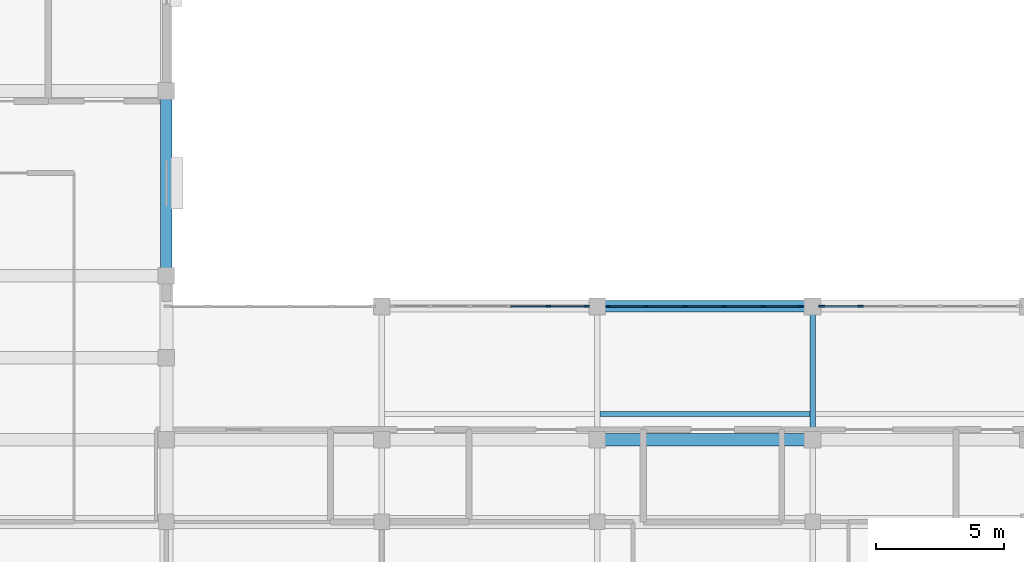
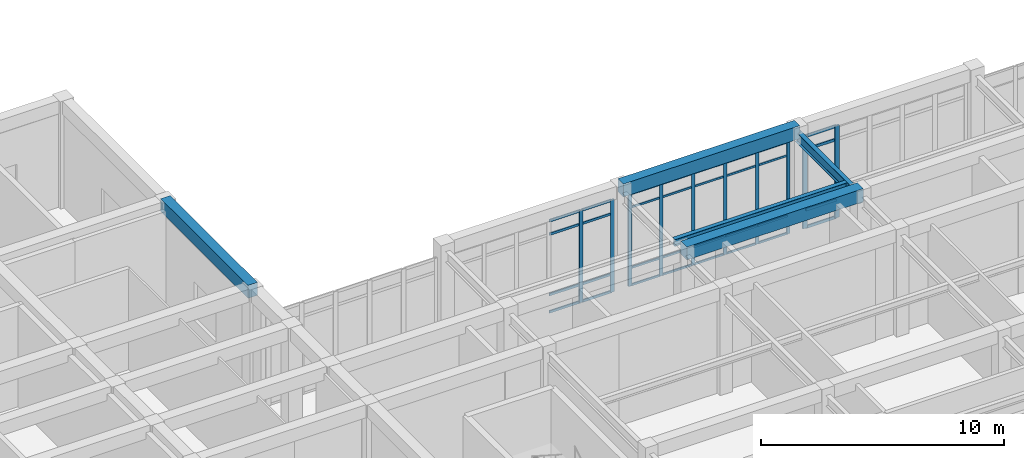
# One storey, part 28 of 89: 42 members, 5 beams, 3 elements without a shape of their own.
"""IFC4 building model written with IfcOpenShell, lengths in metres."""

import ifcopenshell
import ifcopenshell.guid

model = None  # the IFC model being written
_history = None  # IfcOwnerHistory: only IFC2X3 demands one
_inside = {}  # id of a spatial element -> (the spatial element, [elements in it])
_under = {}  # id of a project, library or spatial element -> (it, [spatial elements below it])
_declared = {}  # id of a project -> (the project, [libraries it declares])
_typed = {}  # id of a type object -> (the type object, [elements of that type])
_made_of = {}  # id of a material, layer set ... -> (it, [elements and type objects made of it])


def new_model(schema):
    """Start an empty IFC model of exactly this schema.

    Asked for "IFC4X3", IfcOpenShell would pick the latest addendum, in which some entities
    have other attributes; the version numbers below select the first issue.
    IFC2X3 requires an IfcOwnerHistory on every rooted entity: one is made here for all.
    """
    global model, _history
    if schema == "IFC4X3":
        model = ifcopenshell.file(schema_version=(4, 3, 0, 0))
    else:
        model = ifcopenshell.file(schema=schema)
    _inside.clear()
    _under.clear()
    _declared.clear()
    _typed.clear()
    _made_of.clear()
    _history = None
    if model.schema == "IFC2X3":
        org = make("IfcOrganization", Name="unknown")
        user = make(
            "IfcPersonAndOrganization",
            ThePerson=make("IfcPerson", FamilyName="unknown"),
            TheOrganization=org,
        )
        app = make(
            "IfcApplication",
            ApplicationDeveloper=org,
            Version="unknown",
            ApplicationFullName="unknown",
            ApplicationIdentifier="unknown",
        )
        _history = make(
            "IfcOwnerHistory",
            OwningUser=user,
            OwningApplication=app,
            ChangeAction="ADDED",
            CreationDate=0,
        )
    return model


def make(cls, **values):
    """One entity of the class cls with the attributes given. An attribute that is None is left unset."""
    return model.create_entity(
        cls, **{name: value for name, value in values.items() if value is not None}
    )


def rooted(cls, **values):
    """An entity with a GlobalId (a new one), such as an element, a storey or a relation."""
    return make(cls, GlobalId=ifcopenshell.guid.new(), OwnerHistory=_history, **values)


def si_unit(unit_type, name, prefix=None):
    """IfcSIUnit, for example si_unit("LENGTHUNIT", "METRE", prefix="MILLI")."""
    return make("IfcSIUnit", UnitType=unit_type, Prefix=prefix, Name=name)


def assignment(units):
    """IfcUnitAssignment: the units of a project."""
    return None if units is None else make("IfcUnitAssignment", Units=units)


def point(xyz):
    """IfcCartesianPoint."""
    return None if xyz is None else make("IfcCartesianPoint", Coordinates=xyz)


def direction(xyz):
    """IfcDirection."""
    return None if xyz is None else make("IfcDirection", DirectionRatios=xyz)


def frame(location, z_axis=None, x_axis=None):
    """IfcAxis2Placement3D, a coordinate frame: its origin and axes. An axis left out is left unset."""
    return make(
        "IfcAxis2Placement3D",
        Location=point(location),
        Axis=direction(z_axis),
        RefDirection=direction(x_axis),
    )


def frame_2d(location, x_axis=None):
    """IfcAxis2Placement2D, a coordinate frame in the plane: its origin and x axis."""
    return make(
        "IfcAxis2Placement2D", Location=point(location), RefDirection=direction(x_axis)
    )


def origin():
    """The frame at (0, 0, 0) with its axes left unset."""
    return frame((0.0, 0.0, 0.0))


def origin_2d():
    """The frame at (0, 0) in the plane with its x axis left unset."""
    return frame_2d((0.0, 0.0))


def place(relative_to, where):
    """IfcLocalPlacement: puts the frame where relative to a parent placement (None: the world)."""
    return make(
        "IfcLocalPlacement", PlacementRelTo=relative_to, RelativePlacement=where
    )


def context(
    kind, dimensions, precision=None, world=None, true_north=None, identifier=None
):
    """IfcGeometricRepresentationContext, for example the 3D "Model" context."""
    return make(
        "IfcGeometricRepresentationContext",
        ContextIdentifier=identifier,
        ContextType=kind,
        CoordinateSpaceDimension=dimensions,
        Precision=precision,
        WorldCoordinateSystem=world,
        TrueNorth=true_north,
    )


def subcontext(parent, identifier, kind, view, scale=None):
    """IfcGeometricRepresentationSubContext, for example "Body" below "Model"."""
    return make(
        "IfcGeometricRepresentationSubContext",
        ContextIdentifier=identifier,
        ContextType=kind,
        ParentContext=parent,
        TargetScale=scale,
        TargetView=view,
    )


def project(units=None, contexts=None):
    """IfcProject with its units and contexts."""
    return rooted(
        "IfcProject",
        Name="project",
        RepresentationContexts=contexts,
        UnitsInContext=assignment(units),
    )


def spatial(cls, under=None, at=None, **own):
    """A site, building, storey or space (cls), placed at a placement, below another one or the project."""
    s = rooted(cls, ObjectPlacement=at, **own)
    if under is not None:
        _under.setdefault(under.id(), (under, []))[1].append(s)
    return s


def profile(cls, at=None, kind="AREA", **sizes):
    """A parametric profile (cls). Its sizes go by their IFC names, for example OverallWidth=200.0."""
    return make(cls, ProfileType=kind, Position=at, **sizes)


def rectangle(**sizes):
    """IfcRectangleProfileDef."""
    return profile("IfcRectangleProfileDef", **sizes)


def i_section(**sizes):
    """IfcIShapeProfileDef."""
    return profile("IfcIShapeProfileDef", **sizes)


def extrude(swept, where, along, depth):
    """IfcExtrudedAreaSolid: the profile swept, set in the frame where, extruded along a direction by depth."""
    return make(
        "IfcExtrudedAreaSolid",
        SweptArea=swept,
        Position=where,
        ExtrudedDirection=direction(along),
        Depth=depth,
    )


def shape(context_of_items, identifier, shape_type, items):
    """IfcShapeRepresentation: the items that make up one representation, for example the "Body"."""
    return make(
        "IfcShapeRepresentation",
        ContextOfItems=context_of_items,
        RepresentationIdentifier=identifier,
        RepresentationType=shape_type,
        Items=items,
    )


def material(Name=None, Category=None):
    """IfcMaterial."""
    return make("IfcMaterial", Name=Name, Category=Category)


def material_profile(
    of_material, cross_section, Name=None, Category=None, Priority=None
):
    """IfcMaterialProfile: a cross section and its material."""
    return make(
        "IfcMaterialProfile",
        Name=Name,
        Material=of_material,
        Profile=cross_section,
        Priority=Priority,
        Category=Category,
    )


def profile_set(profiles, Name=None, composite=None):
    """IfcMaterialProfileSet."""
    return make(
        "IfcMaterialProfileSet",
        Name=Name,
        MaterialProfiles=profiles,
        CompositeProfile=composite,
    )


def made_of(thing, what):
    """Note that an element or type object is made of a material, layer set ...; save() writes the relation."""
    if what is not None:
        _made_of.setdefault(what.id(), (what, []))[1].append(thing)
    return thing


def type_object(cls, material=None, **own):
    """A type object (cls), such as IfcWallType, which elements share."""
    return made_of(rooted(cls, **own), material)


def element(
    cls,
    number,
    at=None,
    inside=None,
    cuts=None,
    type_object=None,
    material=None,
    context=None,
    identifier="Body",
    shape_type=None,
    held_by="IfcProductDefinitionShape",
    body=None,
    shapes=None,
    **own,
):
    """One element of the class cls, such as IfcWall. Its Tag is "e" and its number.

    at: its placement. inside: the storey or other place that contains it. cuts: it is an
    opening in that element (IfcRelVoidsElement). A single representation is given by context,
    identifier, shape_type and body (its items); several are given by shapes. held_by: the class
    of the entity that holds the representations. save() writes the other relations.
    """
    e = rooted(cls, Tag="e%d" % number, ObjectPlacement=at, **own)
    if body is not None:
        shapes = [shape(context, identifier, shape_type, body)]
    if shapes is not None:
        e.Representation = make(held_by, Representations=shapes)
    if inside is not None:
        _inside.setdefault(inside.id(), (inside, []))[1].append(e)
    if cuts is not None:
        rooted(
            "IfcRelVoidsElement", RelatingBuildingElement=cuts, RelatedOpeningElement=e
        )
    if type_object is not None:
        _typed.setdefault(type_object.id(), (type_object, []))[1].append(e)
    return made_of(e, material)


def aggregate(whole, parts):
    """IfcRelAggregates: a whole, such as a stair, and the parts it consists of."""
    return rooted("IfcRelAggregates", RelatingObject=whole, RelatedObjects=parts)


def save(model, path):
    """Write the relations noted so far, then the file.

    IfcRelAggregates (storeys below a building ...), IfcRelContainedInSpatialStructure (elements
    in a storey), IfcRelDefinesByType, IfcRelAssociatesMaterial and IfcRelDeclares: one each for
    every whole, place, type object, material and project.
    """
    for whole, parts in _under.values():
        aggregate(whole, parts)
    for where, things in _inside.values():
        rooted(
            "IfcRelContainedInSpatialStructure",
            RelatedElements=things,
            RelatingStructure=where,
        )
    for kind, things in _typed.values():
        rooted("IfcRelDefinesByType", RelatedObjects=things, RelatingType=kind)
    for what, things in _made_of.values():
        rooted("IfcRelAssociatesMaterial", RelatedObjects=things, RelatingMaterial=what)
    for by, libraries in _declared.values():
        rooted("IfcRelDeclares", RelatingContext=by, RelatedDefinitions=libraries)
    model.write(path)


model = new_model("IFC4")

# Units and contexts
model_context = context("Model", 3, precision=1e-05, world=origin(), true_north=direction((0.0, 1.0)))
body_context = subcontext(model_context, "Body", "Model", "MODEL_VIEW")
ifc_project = project(units=[si_unit("LENGTHUNIT", "METRE"), si_unit("AREAUNIT", "SQUARE_METRE"), si_unit("VOLUMEUNIT", "CUBIC_METRE"), si_unit("PLANEANGLEUNIT", "RADIAN"), si_unit("MASSUNIT", "GRAM", prefix="KILO")], contexts=[model_context])

# Site, building, storey
site_placement = place(None, origin())
site = spatial("IfcSite", under=ifc_project, at=site_placement, CompositionType="ELEMENT")
building_placement = place(site_placement, origin())
building = spatial("IfcBuilding", under=site, at=building_placement, Name="Varncliffe General Hospital", CompositionType="ELEMENT")
storey_placement = place(building_placement, frame((0.0, 0.0, 10.800048828125)))
storey = spatial("IfcBuildingStorey", under=building, at=storey_placement, Name="L02", CompositionType="ELEMENT", Elevation=10.800048828125)

# Beams
ifc_material_1 = material(Name="Concrete C35/45 (CSA A23.1 35 MPa)", Category="concrete")
ifc_material_profile_1 = material_profile(ifc_material_1, rectangle(XDim=0.5, YDim=0.64990234375, at=origin_2d()), Name="RC 500x650")
ifc_profile_set_1 = profile_set([ifc_material_profile_1], Name="Concrete C35/45 (CSA A23.1 35 MPa)")
beam_type_1 = type_object("IfcBeamType", Name="Beam B29 (Int RC 500x650)", PredefinedType="BEAM", material=ifc_profile_set_1)
beam_1_placement = place(storey_placement, frame((84.0, 102.800048828125, 5.074951171875), z_axis=(1.0, 0.0, 0.0), x_axis=(0.0, 1.0, 0.0)))
element("IfcBeam", 1, at=beam_1_placement, inside=storey, type_object=beam_type_1, Name="L02 Primary Beam B29-162", PredefinedType="BEAM", context=body_context, shape_type="SweptSolid", body=[
    extrude(rectangle(XDim=0.5, YDim=0.64990234375, at=origin_2d()), origin(), (0.0, 0.0, 1.0), 8.39990234375),
])
ifc_material_2 = material(Name="Steel S355 (CSA G40.21 350W)", Category="steel")
ifc_material_profile_2 = material_profile(ifc_material_2, i_section(OverallWidth=0.2109375, OverallDepth=0.5390625, WebThickness=0.01171875, FlangeThickness=0.018798828125, FilletRadius=0.013916015625, at=origin_2d()), Name="W530x109")
ifc_profile_set_2 = profile_set([ifc_material_profile_2], Name="Steel S355 (CSA G40.21 350W)")
beam_type_2 = type_object("IfcBeamType", Name="Beam B56 (Int W530x109)", PredefinedType="BEAM", material=ifc_profile_set_2)
beam_2_placement = place(storey_placement, frame((92.39990234375, 102.800048828125, 4.7705078125), z_axis=(0.0, 1.0, 0.0), x_axis=(-1.0, 0.0, 0.0)))
element("IfcBeam", 2, at=beam_2_placement, inside=storey, type_object=beam_type_2, Name="L02 Primary Beam B56-362", PredefinedType="BEAM", context=body_context, shape_type="SweptSolid", body=[
    extrude(i_section(OverallWidth=0.2109375, OverallDepth=0.5390625, WebThickness=0.01171875, FlangeThickness=0.018798828125, FilletRadius=0.013916015625, at=origin_2d()), origin(), (0.0, 0.0, 1.0), 5.199951171875),
])

# Curtain wall, members
ifc_material_3 = material(Name="Triple low-E argon insulated vision glazing", Category="glass")
curtain_wall_type_1 = type_object("IfcCurtainWallType", Name="Unitised Glazed Curtain Wall CW15 (7674x4640)", PredefinedType="USERDEFINED", material=ifc_material_3)
curtain_wall_1_placement = place(storey_placement, origin())
curtain_wall_1 = element("IfcCurtainWall", 3, at=curtain_wall_1_placement, inside=storey, type_object=curtain_wall_type_1, Name="L02 Glazed Curtain Wall CW15-112", ObjectType="GLAZED CURTAIN WALL", PredefinedType="USERDEFINED")
ifc_material_4 = material(Name="Dark bronze thermally broken aluminium framing", Category="aluminium")
ifc_material_profile_3 = material_profile(ifc_material_4, rectangle(XDim=0.074951171875, YDim=0.179931640625, at=origin_2d()), Name="ALU 75x180")
ifc_profile_set_3 = profile_set([ifc_material_profile_3], Name="Dark bronze thermally broken aluminium framing")
member_type_1 = type_object("IfcMemberType", Name="Curtain Wall Mullion CM44 (ALU 75x180)", PredefinedType="MULLION", material=ifc_profile_set_3)
member_1_placement = place(storey_placement, frame((82.102294921875, 108.0, 0.0), z_axis=(0.0, 0.0, 1.0), x_axis=(0.0, 1.0, 0.0)))
member_1 = element("IfcMember", 4, at=member_1_placement, type_object=member_type_1, Name="CW15 mullion 5", PredefinedType="MULLION", context=body_context, shape_type="SweptSolid", body=[
    extrude(rectangle(XDim=0.074951171875, YDim=0.179931640625, at=origin_2d()), origin(), (0.0, 0.0, 1.0), 4.639892578125),
])
member_2_placement = place(storey_placement, frame((83.599609375, 108.0, 0.0), z_axis=(0.0, 0.0, 1.0), x_axis=(0.0, 1.0, 0.0)))
member_2 = element("IfcMember", 5, at=member_2_placement, type_object=member_type_1, Name="CW15 mullion 6", PredefinedType="MULLION", context=body_context, shape_type="SweptSolid", body=[
    extrude(rectangle(XDim=0.074951171875, YDim=0.179931640625, at=origin_2d()), origin(), (0.0, 0.0, 1.0), 4.639892578125),
])

curtain_wall_type_2 = type_object("IfcCurtainWallType", Name="Unitised Glazed Curtain Wall CW26 (7594x4640)", PredefinedType="USERDEFINED", material=ifc_material_3)
curtain_wall_2_placement = place(storey_placement, origin())
curtain_wall_2 = element("IfcCurtainWall", 6, at=curtain_wall_2_placement, inside=storey, type_object=curtain_wall_type_2, Name="L02 Glazed Curtain Wall CW26-113", ObjectType="GLAZED CURTAIN WALL", PredefinedType="USERDEFINED")
ifc_material_profile_4 = material_profile(ifc_material_4, rectangle(XDim=0.06494140625, YDim=0.159912109375, at=origin_2d()), Name="ALU 65x160")
ifc_profile_set_4 = profile_set([ifc_material_profile_4], Name="Dark bronze thermally broken aluminium framing")
member_type_2 = type_object("IfcMemberType", Name="Curtain Wall Mullion CM65 (ALU 65x160)", PredefinedType="MULLION", material=ifc_profile_set_4)
member_3_placement = place(storey_placement, frame((84.435546875, 108.0, 0.0), z_axis=(0.0, 0.0, 1.0), x_axis=(0.0, 1.0, 0.0)))
member_3 = element("IfcMember", 7, at=member_3_placement, type_object=member_type_2, Name="CW26 mullion 1", PredefinedType="MULLION", context=body_context, shape_type="SweptSolid", body=[
    extrude(rectangle(XDim=0.06494140625, YDim=0.159912109375, at=origin_2d()), origin(), (0.0, 0.0, 1.0), 4.639892578125),
])
member_4_placement = place(storey_placement, frame((85.921875, 108.0, 0.0), z_axis=(0.0, 0.0, 1.0), x_axis=(0.0, 1.0, 0.0)))
member_4 = element("IfcMember", 8, at=member_4_placement, type_object=member_type_2, Name="CW26 mullion 2", PredefinedType="MULLION", context=body_context, shape_type="SweptSolid", body=[
    extrude(rectangle(XDim=0.06494140625, YDim=0.159912109375, at=origin_2d()), origin(), (0.0, 0.0, 1.0), 4.639892578125),
])
member_5_placement = place(storey_placement, frame((87.440673828125, 108.0, 0.0), z_axis=(0.0, 0.0, 1.0), x_axis=(0.0, 1.0, 0.0)))
member_5 = element("IfcMember", 9, at=member_5_placement, type_object=member_type_2, Name="CW26 mullion 3", PredefinedType="MULLION", context=body_context, shape_type="SweptSolid", body=[
    extrude(rectangle(XDim=0.06494140625, YDim=0.159912109375, at=origin_2d()), origin(), (0.0, 0.0, 1.0), 4.639892578125),
])
member_6_placement = place(storey_placement, frame((88.95947265625, 108.0, 0.0), z_axis=(0.0, 0.0, 1.0), x_axis=(0.0, 1.0, 0.0)))
member_6 = element("IfcMember", 10, at=member_6_placement, type_object=member_type_2, Name="CW26 mullion 4", PredefinedType="MULLION", context=body_context, shape_type="SweptSolid", body=[
    extrude(rectangle(XDim=0.06494140625, YDim=0.159912109375, at=origin_2d()), origin(), (0.0, 0.0, 1.0), 4.639892578125),
])
member_7_placement = place(storey_placement, frame((90.478271484375, 108.0, 0.0), z_axis=(0.0, 0.0, 1.0), x_axis=(0.0, 1.0, 0.0)))
member_7 = element("IfcMember", 11, at=member_7_placement, type_object=member_type_2, Name="CW26 mullion 5", PredefinedType="MULLION", context=body_context, shape_type="SweptSolid", body=[
    extrude(rectangle(XDim=0.06494140625, YDim=0.159912109375, at=origin_2d()), origin(), (0.0, 0.0, 1.0), 4.639892578125),
])
member_8_placement = place(storey_placement, frame((91.964599609375, 108.0, 0.0), z_axis=(0.0, 0.0, 1.0), x_axis=(0.0, 1.0, 0.0)))
member_8 = element("IfcMember", 12, at=member_8_placement, type_object=member_type_2, Name="CW26 mullion 6", PredefinedType="MULLION", context=body_context, shape_type="SweptSolid", body=[
    extrude(rectangle(XDim=0.06494140625, YDim=0.159912109375, at=origin_2d()), origin(), (0.0, 0.0, 1.0), 4.639892578125),
])

curtain_wall_type_3 = type_object("IfcCurtainWallType", Name="Unitised Glazed Curtain Wall CW66 (7754x4640)", PredefinedType="USERDEFINED", material=ifc_material_3)
curtain_wall_3_placement = place(storey_placement, origin())
curtain_wall_3 = element("IfcCurtainWall", 13, at=curtain_wall_3_placement, inside=storey, type_object=curtain_wall_type_3, Name="L02 Glazed Curtain Wall CW66-114", ObjectType="GLAZED CURTAIN WALL", PredefinedType="USERDEFINED")
ifc_material_profile_5 = material_profile(ifc_material_4, rectangle(XDim=0.074951171875, YDim=0.219970703125, at=origin_2d()), Name="ALU 75x220")
ifc_profile_set_5 = profile_set([ifc_material_profile_5], Name="Dark bronze thermally broken aluminium framing")
member_type_3 = type_object("IfcMemberType", Name="Curtain Wall Mullion CM74 (ALU 75x220)", PredefinedType="MULLION", material=ifc_profile_set_5)
member_9_placement = place(storey_placement, frame((92.760498046875, 108.0, 0.0), z_axis=(0.0, 0.0, 1.0), x_axis=(0.0, 1.0, 0.0)))
member_9 = element("IfcMember", 14, at=member_9_placement, type_object=member_type_3, Name="CW66 mullion 1", PredefinedType="MULLION", context=body_context, shape_type="SweptSolid", body=[
    extrude(rectangle(XDim=0.074951171875, YDim=0.219970703125, at=origin_2d()), origin(), (0.0, 0.0, 1.0), 4.639892578125),
])
member_10_placement = place(storey_placement, frame((94.273681640625, 108.0, 0.0), z_axis=(0.0, 0.0, 1.0), x_axis=(0.0, 1.0, 0.0)))
member_10 = element("IfcMember", 15, at=member_10_placement, type_object=member_type_3, Name="CW66 mullion 2", PredefinedType="MULLION", context=body_context, shape_type="SweptSolid", body=[
    extrude(rectangle(XDim=0.074951171875, YDim=0.219970703125, at=origin_2d()), origin(), (0.0, 0.0, 1.0), 4.639892578125),
])

# Member
ifc_material_profile_6 = material_profile(ifc_material_4, rectangle(XDim=0.06005859375, YDim=0.1201171875, at=origin_2d()), Name="ALU 60x120")
ifc_profile_set_6 = profile_set([ifc_material_profile_6], Name="Dark bronze thermally broken aluminium framing")
member_type_4 = type_object("IfcMemberType", Name="Curtain Wall Transom CT14 (ALU 60x120)", PredefinedType="USERDEFINED", material=ifc_profile_set_6)
member_11_placement = place(storey_placement, frame((80.60498046875, 108.0, 0.030029296875), z_axis=(1.0, 0.0, 0.0), x_axis=(0.0, 1.0, 0.0)))
member_11 = element("IfcMember", 16, at=member_11_placement, type_object=member_type_4, Name="CW15 transom 4.1", ObjectType="TRANSOM", PredefinedType="USERDEFINED", context=body_context, shape_type="SweptSolid", body=[
    extrude(rectangle(XDim=0.06005859375, YDim=0.1201171875, at=origin_2d()), origin(), (0.0, 0.0, 1.0), 1.459716796875),
])

member_12_placement = place(storey_placement, frame((80.60498046875, 108.0, 0.89990234375), z_axis=(1.0, 0.0, 0.0), x_axis=(0.0, 1.0, 0.0)))
member_12 = element("IfcMember", 17, at=member_12_placement, type_object=member_type_4, Name="CW15 transom 4.2", ObjectType="TRANSOM", PredefinedType="USERDEFINED", context=body_context, shape_type="SweptSolid", body=[
    extrude(rectangle(XDim=0.06005859375, YDim=0.1201171875, at=origin_2d()), origin(), (0.0, 0.0, 1.0), 1.459716796875),
])

member_13_placement = place(storey_placement, frame((80.60498046875, 108.0, 3.93994140625), z_axis=(1.0, 0.0, 0.0), x_axis=(0.0, 1.0, 0.0)))
member_13 = element("IfcMember", 18, at=member_13_placement, type_object=member_type_4, Name="CW15 transom 4.3", ObjectType="TRANSOM", PredefinedType="USERDEFINED", context=body_context, shape_type="SweptSolid", body=[
    extrude(rectangle(XDim=0.06005859375, YDim=0.1201171875, at=origin_2d()), origin(), (0.0, 0.0, 1.0), 1.459716796875),
])

member_14_placement = place(storey_placement, frame((80.60498046875, 108.0, 4.60986328125), z_axis=(1.0, 0.0, 0.0), x_axis=(0.0, 1.0, 0.0)))
member_14 = element("IfcMember", 19, at=member_14_placement, type_object=member_type_4, Name="CW15 transom 4.4", ObjectType="TRANSOM", PredefinedType="USERDEFINED", context=body_context, shape_type="SweptSolid", body=[
    extrude(rectangle(XDim=0.06005859375, YDim=0.1201171875, at=origin_2d()), origin(), (0.0, 0.0, 1.0), 1.459716796875),
])

member_15_placement = place(storey_placement, frame((82.1396484375, 108.0, 0.030029296875), z_axis=(1.0, 0.0, 0.0), x_axis=(0.0, 1.0, 0.0)))
member_15 = element("IfcMember", 20, at=member_15_placement, type_object=member_type_4, Name="CW15 transom 5.1", ObjectType="TRANSOM", PredefinedType="USERDEFINED", context=body_context, shape_type="SweptSolid", body=[
    extrude(rectangle(XDim=0.06005859375, YDim=0.1201171875, at=origin_2d()), origin(), (0.0, 0.0, 1.0), 1.42236328125),
])

member_16_placement = place(storey_placement, frame((82.1396484375, 108.0, 0.89990234375), z_axis=(1.0, 0.0, 0.0), x_axis=(0.0, 1.0, 0.0)))
member_16 = element("IfcMember", 21, at=member_16_placement, type_object=member_type_4, Name="CW15 transom 5.2", ObjectType="TRANSOM", PredefinedType="USERDEFINED", context=body_context, shape_type="SweptSolid", body=[
    extrude(rectangle(XDim=0.06005859375, YDim=0.1201171875, at=origin_2d()), origin(), (0.0, 0.0, 1.0), 1.42236328125),
])

member_17_placement = place(storey_placement, frame((82.1396484375, 108.0, 3.93994140625), z_axis=(1.0, 0.0, 0.0), x_axis=(0.0, 1.0, 0.0)))
member_17 = element("IfcMember", 22, at=member_17_placement, type_object=member_type_4, Name="CW15 transom 5.3", ObjectType="TRANSOM", PredefinedType="USERDEFINED", context=body_context, shape_type="SweptSolid", body=[
    extrude(rectangle(XDim=0.06005859375, YDim=0.1201171875, at=origin_2d()), origin(), (0.0, 0.0, 1.0), 1.42236328125),
])

member_18_placement = place(storey_placement, frame((82.1396484375, 108.0, 4.60986328125), z_axis=(1.0, 0.0, 0.0), x_axis=(0.0, 1.0, 0.0)))
member_18 = element("IfcMember", 23, at=member_18_placement, type_object=member_type_4, Name="CW15 transom 5.4", ObjectType="TRANSOM", PredefinedType="USERDEFINED", context=body_context, shape_type="SweptSolid", body=[
    extrude(rectangle(XDim=0.06005859375, YDim=0.1201171875, at=origin_2d()), origin(), (0.0, 0.0, 1.0), 1.42236328125),
])

aggregate(curtain_wall_1, [member_1, member_2, member_11, member_12, member_13, member_14, member_15, member_16, member_17, member_18])

ifc_material_profile_7 = material_profile(ifc_material_4, rectangle(XDim=0.06005859375, YDim=0.10009765625, at=origin_2d()), Name="ALU 60x100")
ifc_profile_set_7 = profile_set([ifc_material_profile_7], Name="Dark bronze thermally broken aluminium framing")
member_type_5 = type_object("IfcMemberType", Name="Curtain Wall Transom CT18 (ALU 60x100)", PredefinedType="USERDEFINED", material=ifc_profile_set_7)
member_19_placement = place(storey_placement, frame((84.468017578125, 108.0, 0.030029296875), z_axis=(1.0, 0.0, 0.0), x_axis=(0.0, 1.0, 0.0)))
member_19 = element("IfcMember", 24, at=member_19_placement, type_object=member_type_5, Name="CW26 transom 1.1", ObjectType="TRANSOM", PredefinedType="USERDEFINED", context=body_context, shape_type="SweptSolid", body=[
    extrude(rectangle(XDim=0.06005859375, YDim=0.10009765625, at=origin_2d()), origin(), (0.0, 0.0, 1.0), 1.42138671875),
])

member_20_placement = place(storey_placement, frame((84.468017578125, 108.0, 0.89990234375), z_axis=(1.0, 0.0, 0.0), x_axis=(0.0, 1.0, 0.0)))
member_20 = element("IfcMember", 25, at=member_20_placement, type_object=member_type_5, Name="CW26 transom 1.2", ObjectType="TRANSOM", PredefinedType="USERDEFINED", context=body_context, shape_type="SweptSolid", body=[
    extrude(rectangle(XDim=0.06005859375, YDim=0.10009765625, at=origin_2d()), origin(), (0.0, 0.0, 1.0), 1.42138671875),
])

member_21_placement = place(storey_placement, frame((84.468017578125, 108.0, 3.93994140625), z_axis=(1.0, 0.0, 0.0), x_axis=(0.0, 1.0, 0.0)))
member_21 = element("IfcMember", 26, at=member_21_placement, type_object=member_type_5, Name="CW26 transom 1.3", ObjectType="TRANSOM", PredefinedType="USERDEFINED", context=body_context, shape_type="SweptSolid", body=[
    extrude(rectangle(XDim=0.06005859375, YDim=0.10009765625, at=origin_2d()), origin(), (0.0, 0.0, 1.0), 1.42138671875),
])

member_22_placement = place(storey_placement, frame((84.468017578125, 108.0, 4.60986328125), z_axis=(1.0, 0.0, 0.0), x_axis=(0.0, 1.0, 0.0)))
member_22 = element("IfcMember", 27, at=member_22_placement, type_object=member_type_5, Name="CW26 transom 1.4", ObjectType="TRANSOM", PredefinedType="USERDEFINED", context=body_context, shape_type="SweptSolid", body=[
    extrude(rectangle(XDim=0.06005859375, YDim=0.10009765625, at=origin_2d()), origin(), (0.0, 0.0, 1.0), 1.42138671875),
])

member_23_placement = place(storey_placement, frame((85.954345703125, 108.0, 0.030029296875), z_axis=(1.0, 0.0, 0.0), x_axis=(0.0, 1.0, 0.0)))
member_23 = element("IfcMember", 28, at=member_23_placement, type_object=member_type_5, Name="CW26 transom 2.1", ObjectType="TRANSOM", PredefinedType="USERDEFINED", context=body_context, shape_type="SweptSolid", body=[
    extrude(rectangle(XDim=0.06005859375, YDim=0.10009765625, at=origin_2d()), origin(), (0.0, 0.0, 1.0), 1.453857421875),
])

member_24_placement = place(storey_placement, frame((85.954345703125, 108.0, 0.89990234375), z_axis=(1.0, 0.0, 0.0), x_axis=(0.0, 1.0, 0.0)))
member_24 = element("IfcMember", 29, at=member_24_placement, type_object=member_type_5, Name="CW26 transom 2.2", ObjectType="TRANSOM", PredefinedType="USERDEFINED", context=body_context, shape_type="SweptSolid", body=[
    extrude(rectangle(XDim=0.06005859375, YDim=0.10009765625, at=origin_2d()), origin(), (0.0, 0.0, 1.0), 1.453857421875),
])

member_25_placement = place(storey_placement, frame((85.954345703125, 108.0, 3.93994140625), z_axis=(1.0, 0.0, 0.0), x_axis=(0.0, 1.0, 0.0)))
member_25 = element("IfcMember", 30, at=member_25_placement, type_object=member_type_5, Name="CW26 transom 2.3", ObjectType="TRANSOM", PredefinedType="USERDEFINED", context=body_context, shape_type="SweptSolid", body=[
    extrude(rectangle(XDim=0.06005859375, YDim=0.10009765625, at=origin_2d()), origin(), (0.0, 0.0, 1.0), 1.453857421875),
])

member_26_placement = place(storey_placement, frame((85.954345703125, 108.0, 4.60986328125), z_axis=(1.0, 0.0, 0.0), x_axis=(0.0, 1.0, 0.0)))
member_26 = element("IfcMember", 31, at=member_26_placement, type_object=member_type_5, Name="CW26 transom 2.4", ObjectType="TRANSOM", PredefinedType="USERDEFINED", context=body_context, shape_type="SweptSolid", body=[
    extrude(rectangle(XDim=0.06005859375, YDim=0.10009765625, at=origin_2d()), origin(), (0.0, 0.0, 1.0), 1.453857421875),
])

member_27_placement = place(storey_placement, frame((87.47314453125, 108.0, 0.030029296875), z_axis=(1.0, 0.0, 0.0), x_axis=(0.0, 1.0, 0.0)))
member_27 = element("IfcMember", 32, at=member_27_placement, type_object=member_type_5, Name="CW26 transom 3.1", ObjectType="TRANSOM", PredefinedType="USERDEFINED", context=body_context, shape_type="SweptSolid", body=[
    extrude(rectangle(XDim=0.06005859375, YDim=0.10009765625, at=origin_2d()), origin(), (0.0, 0.0, 1.0), 1.453857421875),
])

member_28_placement = place(storey_placement, frame((87.47314453125, 108.0, 0.89990234375), z_axis=(1.0, 0.0, 0.0), x_axis=(0.0, 1.0, 0.0)))
member_28 = element("IfcMember", 33, at=member_28_placement, type_object=member_type_5, Name="CW26 transom 3.2", ObjectType="TRANSOM", PredefinedType="USERDEFINED", context=body_context, shape_type="SweptSolid", body=[
    extrude(rectangle(XDim=0.06005859375, YDim=0.10009765625, at=origin_2d()), origin(), (0.0, 0.0, 1.0), 1.453857421875),
])

member_29_placement = place(storey_placement, frame((87.47314453125, 108.0, 3.93994140625), z_axis=(1.0, 0.0, 0.0), x_axis=(0.0, 1.0, 0.0)))
member_29 = element("IfcMember", 34, at=member_29_placement, type_object=member_type_5, Name="CW26 transom 3.3", ObjectType="TRANSOM", PredefinedType="USERDEFINED", context=body_context, shape_type="SweptSolid", body=[
    extrude(rectangle(XDim=0.06005859375, YDim=0.10009765625, at=origin_2d()), origin(), (0.0, 0.0, 1.0), 1.453857421875),
])

member_30_placement = place(storey_placement, frame((87.47314453125, 108.0, 4.60986328125), z_axis=(1.0, 0.0, 0.0), x_axis=(0.0, 1.0, 0.0)))
member_30 = element("IfcMember", 35, at=member_30_placement, type_object=member_type_5, Name="CW26 transom 3.4", ObjectType="TRANSOM", PredefinedType="USERDEFINED", context=body_context, shape_type="SweptSolid", body=[
    extrude(rectangle(XDim=0.06005859375, YDim=0.10009765625, at=origin_2d()), origin(), (0.0, 0.0, 1.0), 1.453857421875),
])

member_31_placement = place(storey_placement, frame((88.991943359375, 108.0, 0.030029296875), z_axis=(1.0, 0.0, 0.0), x_axis=(0.0, 1.0, 0.0)))
member_31 = element("IfcMember", 36, at=member_31_placement, type_object=member_type_5, Name="CW26 transom 4.1", ObjectType="TRANSOM", PredefinedType="USERDEFINED", context=body_context, shape_type="SweptSolid", body=[
    extrude(rectangle(XDim=0.06005859375, YDim=0.10009765625, at=origin_2d()), origin(), (0.0, 0.0, 1.0), 1.453857421875),
])

member_32_placement = place(storey_placement, frame((88.991943359375, 108.0, 0.89990234375), z_axis=(1.0, 0.0, 0.0), x_axis=(0.0, 1.0, 0.0)))
member_32 = element("IfcMember", 37, at=member_32_placement, type_object=member_type_5, Name="CW26 transom 4.2", ObjectType="TRANSOM", PredefinedType="USERDEFINED", context=body_context, shape_type="SweptSolid", body=[
    extrude(rectangle(XDim=0.06005859375, YDim=0.10009765625, at=origin_2d()), origin(), (0.0, 0.0, 1.0), 1.453857421875),
])

member_33_placement = place(storey_placement, frame((88.991943359375, 108.0, 3.93994140625), z_axis=(1.0, 0.0, 0.0), x_axis=(0.0, 1.0, 0.0)))
member_33 = element("IfcMember", 38, at=member_33_placement, type_object=member_type_5, Name="CW26 transom 4.3", ObjectType="TRANSOM", PredefinedType="USERDEFINED", context=body_context, shape_type="SweptSolid", body=[
    extrude(rectangle(XDim=0.06005859375, YDim=0.10009765625, at=origin_2d()), origin(), (0.0, 0.0, 1.0), 1.453857421875),
])

member_34_placement = place(storey_placement, frame((88.991943359375, 108.0, 4.60986328125), z_axis=(1.0, 0.0, 0.0), x_axis=(0.0, 1.0, 0.0)))
member_34 = element("IfcMember", 39, at=member_34_placement, type_object=member_type_5, Name="CW26 transom 4.4", ObjectType="TRANSOM", PredefinedType="USERDEFINED", context=body_context, shape_type="SweptSolid", body=[
    extrude(rectangle(XDim=0.06005859375, YDim=0.10009765625, at=origin_2d()), origin(), (0.0, 0.0, 1.0), 1.453857421875),
])

member_35_placement = place(storey_placement, frame((90.5107421875, 108.0, 0.030029296875), z_axis=(1.0, 0.0, 0.0), x_axis=(0.0, 1.0, 0.0)))
member_35 = element("IfcMember", 40, at=member_35_placement, type_object=member_type_5, Name="CW26 transom 5.1", ObjectType="TRANSOM", PredefinedType="USERDEFINED", context=body_context, shape_type="SweptSolid", body=[
    extrude(rectangle(XDim=0.06005859375, YDim=0.10009765625, at=origin_2d()), origin(), (0.0, 0.0, 1.0), 1.421142578125),
])

member_36_placement = place(storey_placement, frame((90.5107421875, 108.0, 0.89990234375), z_axis=(1.0, 0.0, 0.0), x_axis=(0.0, 1.0, 0.0)))
member_36 = element("IfcMember", 41, at=member_36_placement, type_object=member_type_5, Name="CW26 transom 5.2", ObjectType="TRANSOM", PredefinedType="USERDEFINED", context=body_context, shape_type="SweptSolid", body=[
    extrude(rectangle(XDim=0.06005859375, YDim=0.10009765625, at=origin_2d()), origin(), (0.0, 0.0, 1.0), 1.421142578125),
])

member_37_placement = place(storey_placement, frame((90.5107421875, 108.0, 3.93994140625), z_axis=(1.0, 0.0, 0.0), x_axis=(0.0, 1.0, 0.0)))
member_37 = element("IfcMember", 42, at=member_37_placement, type_object=member_type_5, Name="CW26 transom 5.3", ObjectType="TRANSOM", PredefinedType="USERDEFINED", context=body_context, shape_type="SweptSolid", body=[
    extrude(rectangle(XDim=0.06005859375, YDim=0.10009765625, at=origin_2d()), origin(), (0.0, 0.0, 1.0), 1.421142578125),
])

member_38_placement = place(storey_placement, frame((90.5107421875, 108.0, 4.60986328125), z_axis=(1.0, 0.0, 0.0), x_axis=(0.0, 1.0, 0.0)))
member_38 = element("IfcMember", 43, at=member_38_placement, type_object=member_type_5, Name="CW26 transom 5.4", ObjectType="TRANSOM", PredefinedType="USERDEFINED", context=body_context, shape_type="SweptSolid", body=[
    extrude(rectangle(XDim=0.06005859375, YDim=0.10009765625, at=origin_2d()), origin(), (0.0, 0.0, 1.0), 1.421142578125),
])

aggregate(curtain_wall_2, [member_3, member_4, member_5, member_6, member_7, member_8, member_19, member_20, member_21, member_22, member_23, member_24, member_25, member_26, member_27, member_28, member_29, member_30, member_31, member_32, member_33, member_34, member_35, member_36, member_37, member_38])

ifc_material_profile_8 = material_profile(ifc_material_4, rectangle(XDim=0.06494140625, YDim=0.139892578125, at=origin_2d()), Name="ALU 65x140")
ifc_profile_set_8 = profile_set([ifc_material_profile_8], Name="Dark bronze thermally broken aluminium framing")
member_type_6 = type_object("IfcMemberType", Name="Curtain Wall Transom CT69 (ALU 65x140)", PredefinedType="USERDEFINED", material=ifc_profile_set_8)
member_39_placement = place(storey_placement, frame((92.798095703125, 108.0, 0.032470703125), z_axis=(1.0, 0.0, 0.0), x_axis=(0.0, 1.0, 0.0)))
member_39 = element("IfcMember", 44, at=member_39_placement, type_object=member_type_6, Name="CW66 transom 1.1", ObjectType="TRANSOM", PredefinedType="USERDEFINED", context=body_context, shape_type="SweptSolid", body=[
    extrude(rectangle(XDim=0.06494140625, YDim=0.139892578125, at=origin_2d()), origin(), (0.0, 0.0, 1.0), 1.438232421875),
])

member_40_placement = place(storey_placement, frame((92.798095703125, 108.0, 0.89990234375), z_axis=(1.0, 0.0, 0.0), x_axis=(0.0, 1.0, 0.0)))
member_40 = element("IfcMember", 45, at=member_40_placement, type_object=member_type_6, Name="CW66 transom 1.2", ObjectType="TRANSOM", PredefinedType="USERDEFINED", context=body_context, shape_type="SweptSolid", body=[
    extrude(rectangle(XDim=0.06494140625, YDim=0.139892578125, at=origin_2d()), origin(), (0.0, 0.0, 1.0), 1.438232421875),
])

member_41_placement = place(storey_placement, frame((92.798095703125, 108.0, 3.93994140625), z_axis=(1.0, 0.0, 0.0), x_axis=(0.0, 1.0, 0.0)))
member_41 = element("IfcMember", 46, at=member_41_placement, type_object=member_type_6, Name="CW66 transom 1.3", ObjectType="TRANSOM", PredefinedType="USERDEFINED", context=body_context, shape_type="SweptSolid", body=[
    extrude(rectangle(XDim=0.06494140625, YDim=0.139892578125, at=origin_2d()), origin(), (0.0, 0.0, 1.0), 1.438232421875),
])

member_42_placement = place(storey_placement, frame((92.798095703125, 108.0, 4.607421875), z_axis=(1.0, 0.0, 0.0), x_axis=(0.0, 1.0, 0.0)))
member_42 = element("IfcMember", 47, at=member_42_placement, type_object=member_type_6, Name="CW66 transom 1.4", ObjectType="TRANSOM", PredefinedType="USERDEFINED", context=body_context, shape_type="SweptSolid", body=[
    extrude(rectangle(XDim=0.06494140625, YDim=0.139892578125, at=origin_2d()), origin(), (0.0, 0.0, 1.0), 1.438232421875),
])

aggregate(curtain_wall_3, [member_9, member_10, member_39, member_40, member_41, member_42])

# Beams
ifc_material_profile_9 = material_profile(ifc_material_2, i_section(OverallWidth=0.202880859375, OverallDepth=0.346923828125, WebThickness=0.0078125, FlangeThickness=0.013427734375, FilletRadius=0.010986328125, at=origin_2d()), Name="W360x64")
ifc_profile_set_9 = profile_set([ifc_material_profile_9], Name="Steel S355 (CSA G40.21 350W)")
beam_type_3 = type_object("IfcBeamType", Name="Joist J14 (Int W360x64)", PredefinedType="JOIST", material=ifc_profile_set_9)
beam_3_placement = place(storey_placement, frame((84.103515625, 103.800048828125, 4.866455078125), z_axis=(1.0, 0.0, 0.0), x_axis=(0.0, 1.0, 0.0)))
element("IfcBeam", 48, at=beam_3_placement, inside=storey, type_object=beam_type_3, Name="L02 Secondary Floor Rib J14-33", PredefinedType="JOIST", context=body_context, shape_type="SweptSolid", body=[
    extrude(i_section(OverallWidth=0.202880859375, OverallDepth=0.346923828125, WebThickness=0.0078125, FlangeThickness=0.013427734375, FilletRadius=0.010986328125, at=origin_2d()), origin(), (0.0, 0.0, 1.0), 8.19287109375),
])
ifc_material_profile_10 = material_profile(ifc_material_1, rectangle(XDim=0.449951171875, YDim=0.64990234375, at=origin_2d()), Name="RC 450x650")
ifc_profile_set_10 = profile_set([ifc_material_profile_10], Name="Concrete C35/45 (CSA A23.1 35 MPa)")
beam_type_4 = type_object("IfcBeamType", Name="Spandrel SP38 (Ext RC 450x650B)", PredefinedType="SPANDREL", material=ifc_profile_set_10)
beam_4_placement = place(storey_placement, frame((84.0, 108.0, 5.074951171875), z_axis=(1.0, 0.0, 0.0), x_axis=(0.0, 1.0, 0.0)))
element("IfcBeam", 49, at=beam_4_placement, inside=storey, type_object=beam_type_4, Name="L02 Spandrel Beam SP38-190", PredefinedType="SPANDREL", context=body_context, shape_type="SweptSolid", body=[
    extrude(rectangle(XDim=0.449951171875, YDim=0.64990234375, at=origin_2d()), origin(), (0.0, 0.0, 1.0), 8.39990234375),
])
beam_5_placement = place(storey_placement, frame((67.199951171875, 109.199951171875, 5.074951171875), z_axis=(0.0, 1.0, 0.0), x_axis=(-1.0, 0.0, 0.0)))
element("IfcBeam", 50, at=beam_5_placement, inside=storey, type_object=beam_type_4, Name="L02 Spandrel Beam SP38-336", PredefinedType="SPANDREL", context=body_context, shape_type="SweptSolid", body=[
    extrude(rectangle(XDim=0.449951171875, YDim=0.64990234375, at=origin_2d()), origin(), (0.0, 0.0, 1.0), 7.199951171875),
])

save(model, "model.ifc")
